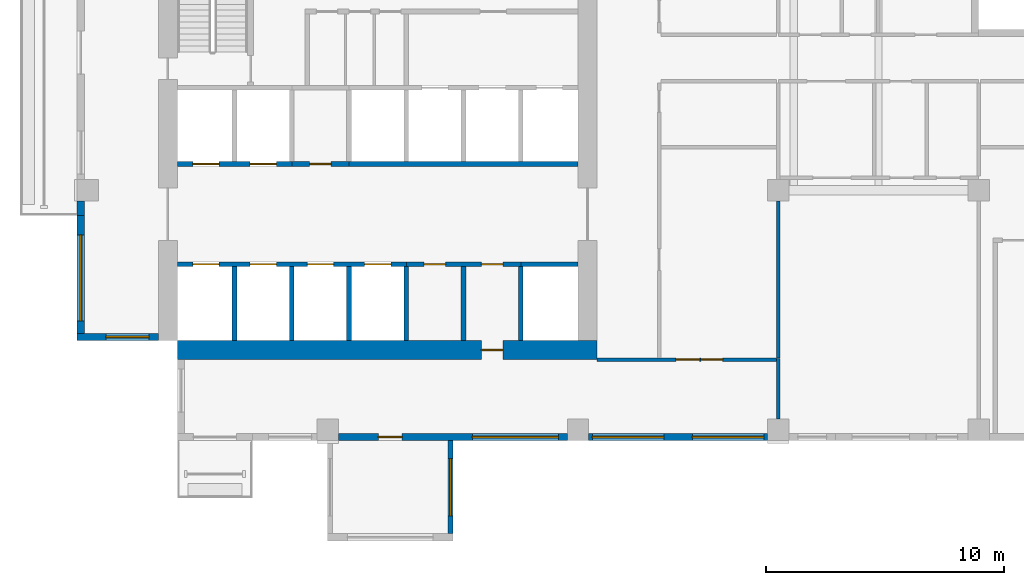
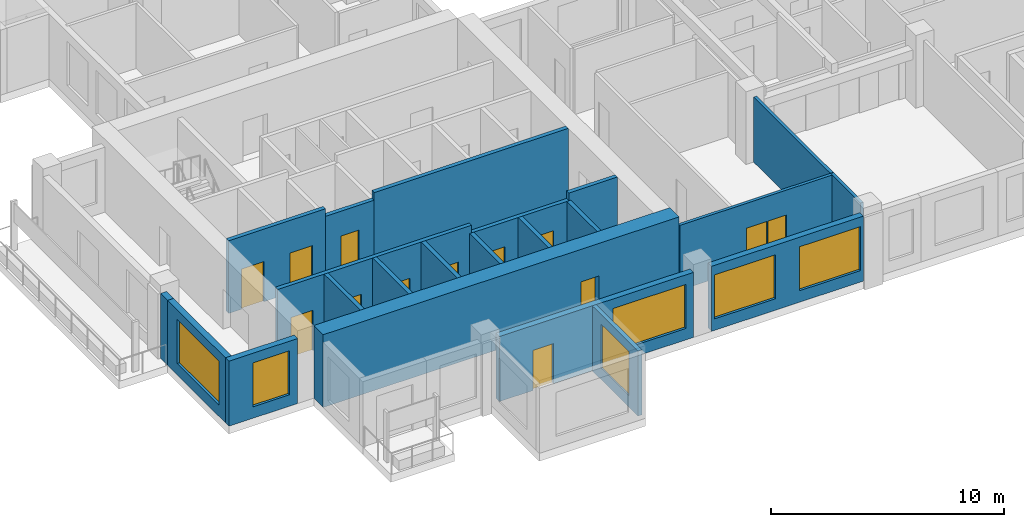
# One storey, part 2 of 12: 22 walls, 13 doors, 6 windows, 19 openings.
"""IFC4 building model written with IfcOpenShell, lengths in metres."""

from ifc_helpers import new_model, si_unit, direction, frame, frame_2d, origin, place, context, subcontext, project, spatial, rectangle, extrude, source, transform, mapped, material, layer, layer_set, type_object, element, fill, save


model = new_model("IFC4")

# Units and contexts
model_context = context("Model", 3, precision=1e-05, world=origin(), true_north=direction((0.0, 1.0)))
body_context = subcontext(model_context, "Body", "Model", "MODEL_VIEW")
ifc_project = project(units=[si_unit("LENGTHUNIT", "METRE"), si_unit("AREAUNIT", "SQUARE_METRE"), si_unit("VOLUMEUNIT", "CUBIC_METRE"), si_unit("PLANEANGLEUNIT", "RADIAN"), si_unit("MASSUNIT", "GRAM", prefix="KILO")], contexts=[model_context])

# Site, building, storey
site_placement = place(None, origin())
site = spatial("IfcSite", under=ifc_project, at=site_placement, CompositionType="ELEMENT")
building_placement = place(site_placement, origin())
building = spatial("IfcBuilding", under=site, at=building_placement, Name="Aurelian Terraces", CompositionType="ELEMENT")
storey_placement = place(building_placement, frame((0.0, 0.0, 200.6)))
storey = spatial("IfcBuildingStorey", under=building, at=storey_placement, Name="L44", CompositionType="ELEMENT", Elevation=200.6)

# Wall, opening, door
ifc_material_1 = material(Name="Concrete fc' 70 MPa", Category="concrete")
ifc_layer_1 = layer(ifc_material_1, 0.8)
ifc_layer_set_1 = layer_set([ifc_layer_1], Name="CORE WALL 800 FC70")
wall_type_1 = type_object("IfcWallType", Name="CORE WALL 800 FC70", PredefinedType="SHEAR", material=ifc_layer_set_1)
shared_shape_1 = source(origin(), body_context, "Body", "SweptSolid", [
    extrude(rectangle(XDim=17.6, YDim=0.8, at=frame_2d((8.8, 0.0))), origin(), (0.0, 0.0, 1.0), 3.8),
])
wall_1_placement = place(storey_placement, frame((4.2, 3.8, 0.0), z_axis=(0.0, 0.0, 1.0), x_axis=(1.0, 0.0, 0.0)))
wall_1 = element("IfcWall", 1, at=wall_1_placement, inside=storey, type_object=wall_type_1, Name="Core wall S L44", PredefinedType="SHEAR", context=body_context, shape_type="MappedRepresentation", body=[
    mapped(shared_shape_1, transform((0.0, 0.0, 0.0), scale=1.0)),
])
shared_shape_2 = source(origin(), body_context, "Body", "SweptSolid", [
    extrude(rectangle(XDim=0.9, YDim=2.1, at=frame_2d((0.45, 1.05))), frame((0.0, 0.41, 0.0), z_axis=(0.0, -1.0, 0.0), x_axis=(1.0, 0.0, 0.0)), (0.0, 0.0, 1.0), 0.82),
])
opening_1_placement = place(wall_1_placement, frame((12.75, 0.0, 0.0)))
opening_1 = element("IfcOpeningElement", 2, at=opening_1_placement, cuts=wall_1, Name="Opening 64727", PredefinedType="OPENING", context=body_context, shape_type="MappedRepresentation", body=[
    mapped(shared_shape_2, transform((0.0, 0.0, 0.0), scale=1.0)),
])
ifc_material_2 = material(Name="Steel door leaf", Category="steel")
door_type_1 = type_object("IfcDoorType", Name="Core service door 900x2100 right", OperationType="SINGLE_SWING_RIGHT", PredefinedType="DOOR", material=ifc_material_2)
shared_shape_3 = source(origin(), body_context, "Body", "SweptSolid", [
    extrude(rectangle(XDim=0.9, YDim=2.1, at=frame_2d((0.45, 1.05))), frame((0.0, 0.025, 0.0), z_axis=(0.0, -1.0, 0.0), x_axis=(1.0, 0.0, 0.0)), (0.0, 0.0, 1.0), 0.05),
])
door_1_placement = place(opening_1_placement, origin())
door_1 = element("IfcDoor", 3, at=door_1_placement, inside=storey, type_object=door_type_1, Name="Core door 64727", OperationType="SINGLE_SWING_RIGHT", OverallHeight=2.1, OverallWidth=0.9, PredefinedType="DOOR", context=body_context, shape_type="MappedRepresentation", body=[
    mapped(shared_shape_3, transform((0.0, 0.0, 0.0), scale=1.0)),
])
fill(opening_1, door_1)

# Wall, openings, windows
ifc_material_3 = material(Name="Terracotta rainscreen cladding", Category="masonry")
ifc_layer_2 = layer(ifc_material_3, 0.3)
ifc_layer_set_2 = layer_set([ifc_layer_2], Name="EW-300")
wall_type_2 = type_object("IfcWallType", Name="EW-300", PredefinedType="STANDARD", material=ifc_layer_set_2)
shared_shape_4 = source(origin(), body_context, "Body", "SweptSolid", [
    extrude(rectangle(XDim=7.5, YDim=0.3, at=frame_2d((3.75, 0.0))), origin(), (0.0, 0.0, 1.0), 3.4),
])
wall_2_placement = place(storey_placement, frame((21.45, 0.15, 0.0), z_axis=(0.0, 0.0, 1.0), x_axis=(1.0, 0.0, 0.0)))
wall_2 = element("IfcWall", 4, at=wall_2_placement, inside=storey, type_object=wall_type_2, Name="External wall L44 F01.4", PredefinedType="STANDARD", context=body_context, shape_type="MappedRepresentation", body=[
    mapped(shared_shape_4, transform((0.0, 0.0, 0.0), scale=1.0)),
])
shared_shape_5 = source(origin(), body_context, "Body", "SweptSolid", [
    extrude(rectangle(XDim=3.0, YDim=2.3, at=frame_2d((1.5, 1.15))), frame((0.0, 0.16, 0.0), z_axis=(0.0, -1.0, 0.0), x_axis=(1.0, 0.0, 0.0)), (0.0, 0.0, 1.0), 0.32),
])
opening_2_placement = place(wall_2_placement, frame((0.15, 0.0, 0.6)))
opening_2 = element("IfcOpeningElement", 5, at=opening_2_placement, cuts=wall_2, Name="Opening W3023", PredefinedType="OPENING", context=body_context, shape_type="MappedRepresentation", body=[
    mapped(shared_shape_5, transform((0.0, 0.0, 0.0), scale=1.0)),
])
opening_3_placement = place(wall_2_placement, frame((4.35, 0.0, 0.6)))
opening_3 = element("IfcOpeningElement", 6, at=opening_3_placement, cuts=wall_2, Name="Opening W3023", PredefinedType="OPENING", context=body_context, shape_type="MappedRepresentation", body=[
    mapped(shared_shape_5, transform((0.0, 0.0, 0.0), scale=1.0)),
])
ifc_material_4 = material(Name="Clear glazing", Category="glass")
window_type_1 = type_object("IfcWindowType", Name="W-3000x2300", PartitioningType="SINGLE_PANEL", PredefinedType="WINDOW", material=ifc_material_4)
shared_shape_6 = source(origin(), body_context, "Body", "SweptSolid", [
    extrude(rectangle(XDim=3.0, YDim=2.3, at=frame_2d((1.5, 1.15))), frame((0.0, 0.03, 0.0), z_axis=(0.0, -1.0, 0.0), x_axis=(1.0, 0.0, 0.0)), (0.0, 0.0, 1.0), 0.06),
])
window_1_placement = place(opening_2_placement, origin())
window_1 = element("IfcWindow", 7, at=window_1_placement, inside=storey, type_object=window_type_1, Name="Window L44 L44-F01-04-0", OverallHeight=2.3, OverallWidth=3.0, PartitioningType="SINGLE_PANEL", PredefinedType="WINDOW", context=body_context, shape_type="MappedRepresentation", body=[
    mapped(shared_shape_6, transform((0.0, 0.0, 0.0), scale=1.0)),
])
fill(opening_2, window_1)
window_2_placement = place(opening_3_placement, origin())
window_2 = element("IfcWindow", 8, at=window_2_placement, inside=storey, type_object=window_type_1, Name="Window L44 L44-F01-04-1", OverallHeight=2.3, OverallWidth=3.0, PartitioningType="SINGLE_PANEL", PredefinedType="WINDOW", context=body_context, shape_type="MappedRepresentation", body=[
    mapped(shared_shape_6, transform((0.0, 0.0, 0.0), scale=1.0)),
])
fill(opening_3, window_2)

# Wall, opening, window
shared_shape_7 = source(origin(), body_context, "Body", "SweptSolid", [
    extrude(rectangle(XDim=3.4, YDim=0.3, at=frame_2d((1.7, 0.0))), origin(), (0.0, 0.0, 1.0), 3.4),
])
wall_3_placement = place(storey_placement, frame((0.0, 4.35, 0.0), z_axis=(0.0, 0.0, 1.0), x_axis=(1.0, 0.0, 0.0)))
wall_3 = element("IfcWall", 9, at=wall_3_placement, inside=storey, type_object=wall_type_2, Name="External wall L44 F21.37", PredefinedType="STANDARD", context=body_context, shape_type="MappedRepresentation", body=[
    mapped(shared_shape_7, transform((0.0, 0.0, 0.0), scale=1.0)),
])
shared_shape_8 = source(origin(), body_context, "Body", "SweptSolid", [
    extrude(rectangle(XDim=1.8, YDim=2.3, at=frame_2d((0.9, 1.15))), frame((0.0, 0.16, 0.0), z_axis=(0.0, -1.0, 0.0), x_axis=(1.0, 0.0, 0.0)), (0.0, 0.0, 1.0), 0.32),
])
opening_4_placement = place(wall_3_placement, frame((1.2, 0.0, 0.6)))
opening_4 = element("IfcOpeningElement", 10, at=opening_4_placement, cuts=wall_3, Name="Opening W1823", PredefinedType="OPENING", context=body_context, shape_type="MappedRepresentation", body=[
    mapped(shared_shape_8, transform((0.0, 0.0, 0.0), scale=1.0)),
])
window_type_2 = type_object("IfcWindowType", Name="W-1800x2300", PartitioningType="SINGLE_PANEL", PredefinedType="WINDOW", material=ifc_material_4)
shared_shape_9 = source(origin(), body_context, "Body", "SweptSolid", [
    extrude(rectangle(XDim=1.8, YDim=2.3, at=frame_2d((0.9, 1.15))), frame((0.0, 0.03, 0.0), z_axis=(0.0, -1.0, 0.0), x_axis=(1.0, 0.0, 0.0)), (0.0, 0.0, 1.0), 0.06),
])
window_3_placement = place(opening_4_placement, origin())
window_3 = element("IfcWindow", 11, at=window_3_placement, inside=storey, type_object=window_type_2, Name="Window L44 L44-F21-37-0", OverallHeight=2.3, OverallWidth=1.8, PartitioningType="SINGLE_PANEL", PredefinedType="WINDOW", context=body_context, shape_type="MappedRepresentation", body=[
    mapped(shared_shape_9, transform((0.0, 0.0, 0.0), scale=1.0)),
])
fill(opening_4, window_3)

ifc_material_5 = material(Name="Concrete fc' 40 MPa", Category="concrete")
ifc_layer_3 = layer(ifc_material_5, 0.2)
ifc_layer_set_3 = layer_set([ifc_layer_3], Name="BOX BEARING WALL 200")
wall_type_3 = type_object("IfcWallType", Name="BOX BEARING WALL 200", PredefinedType="SOLIDWALL", material=ifc_layer_set_3)
shared_shape_10 = source(origin(), body_context, "Body", "SweptSolid", [
    extrude(rectangle(XDim=3.9, YDim=0.2, at=frame_2d((1.95, 0.0))), origin(), (0.0, 0.0, 1.0), 3.4),
])
wall_4_placement = place(storey_placement, frame((15.65, 0.0, 0.0), z_axis=(0.0, 0.0, 1.0), x_axis=(0.0, -1.0, 0.0)))
wall_4 = element("IfcWall", 12, at=wall_4_placement, inside=storey, type_object=wall_type_3, Name="Box return L44 J60.2", PredefinedType="SOLIDWALL", context=body_context, shape_type="MappedRepresentation", body=[
    mapped(shared_shape_10, transform((0.0, 0.0, 0.0), scale=1.0)),
])
shared_shape_11 = source(origin(), body_context, "Body", "SweptSolid", [
    extrude(rectangle(XDim=2.4, YDim=2.3, at=frame_2d((1.2, 1.15))), frame((0.0, 0.11, 0.0), z_axis=(0.0, -1.0, 0.0), x_axis=(1.0, 0.0, 0.0)), (0.0, 0.0, 1.0), 0.22),
])
opening_5_placement = place(wall_4_placement, frame((0.75, 0.0, 0.6)))
opening_5 = element("IfcOpeningElement", 13, at=opening_5_placement, cuts=wall_4, Name="Opening W2423", PredefinedType="OPENING", context=body_context, shape_type="MappedRepresentation", body=[
    mapped(shared_shape_11, transform((0.0, 0.0, 0.0), scale=1.0)),
])
window_type_3 = type_object("IfcWindowType", Name="W-2400x2300", PartitioningType="SINGLE_PANEL", PredefinedType="WINDOW", material=ifc_material_4)
shared_shape_12 = source(origin(), body_context, "Body", "SweptSolid", [
    extrude(rectangle(XDim=2.4, YDim=2.3, at=frame_2d((1.2, 1.15))), frame((0.0, 0.03, 0.0), z_axis=(0.0, -1.0, 0.0), x_axis=(1.0, 0.0, 0.0)), (0.0, 0.0, 1.0), 0.06),
])
window_4_placement = place(opening_5_placement, origin())
window_4 = element("IfcWindow", 14, at=window_4_placement, inside=storey, type_object=window_type_3, Name="Window L44 J60-S2", OverallHeight=2.3, OverallWidth=2.4, PartitioningType="SINGLE_PANEL", PredefinedType="WINDOW", context=body_context, shape_type="MappedRepresentation", body=[
    mapped(shared_shape_12, transform((0.0, 0.0, 0.0), scale=1.0)),
])
fill(opening_5, window_4)

# Wall, openings, window, door
shared_shape_13 = source(origin(), body_context, "Body", "SweptSolid", [
    extrude(rectangle(XDim=9.6, YDim=0.3, at=frame_2d((4.8, 0.0))), origin(), (0.0, 0.0, 1.0), 3.4),
])
wall_5_placement = place(storey_placement, frame((10.95, 0.15, 0.0), z_axis=(0.0, 0.0, 1.0), x_axis=(1.0, 0.0, 0.0)))
wall_5 = element("IfcWall", 15, at=wall_5_placement, inside=storey, type_object=wall_type_2, Name="External wall L44 F01.3", PredefinedType="STANDARD", context=body_context, shape_type="MappedRepresentation", body=[
    mapped(shared_shape_13, transform((0.0, 0.0, 0.0), scale=1.0)),
])
shared_shape_14 = source(origin(), body_context, "Body", "SweptSolid", [
    extrude(rectangle(XDim=3.6, YDim=2.3, at=frame_2d((1.8, 1.15))), frame((0.0, 0.16, 0.0), z_axis=(0.0, -1.0, 0.0), x_axis=(1.0, 0.0, 0.0)), (0.0, 0.0, 1.0), 0.32),
])
opening_6_placement = place(wall_5_placement, frame((5.625, 0.0, 0.6)))
opening_6 = element("IfcOpeningElement", 16, at=opening_6_placement, cuts=wall_5, Name="Opening W3623", PredefinedType="OPENING", context=body_context, shape_type="MappedRepresentation", body=[
    mapped(shared_shape_14, transform((0.0, 0.0, 0.0), scale=1.0)),
])
shared_shape_15 = source(origin(), body_context, "Body", "SweptSolid", [
    extrude(rectangle(XDim=1.0, YDim=2.1, at=frame_2d((0.5, 1.05))), frame((0.0, 0.16, 0.0), z_axis=(0.0, -1.0, 0.0), x_axis=(1.0, 0.0, 0.0)), (0.0, 0.0, 1.0), 0.32),
])
opening_7_placement = place(wall_5_placement, frame((1.675, 0.0, 0.0)))
opening_7 = element("IfcOpeningElement", 17, at=opening_7_placement, cuts=wall_5, Name="Opening 844001", PredefinedType="OPENING", context=body_context, shape_type="MappedRepresentation", body=[
    mapped(shared_shape_15, transform((0.0, 0.0, 0.0), scale=1.0)),
])
window_type_4 = type_object("IfcWindowType", Name="W-3600x2300", PartitioningType="SINGLE_PANEL", PredefinedType="WINDOW", material=ifc_material_4)
shared_shape_16 = source(origin(), body_context, "Body", "SweptSolid", [
    extrude(rectangle(XDim=3.6, YDim=2.3, at=frame_2d((1.8, 1.15))), frame((0.0, 0.03, 0.0), z_axis=(0.0, -1.0, 0.0), x_axis=(1.0, 0.0, 0.0)), (0.0, 0.0, 1.0), 0.06),
])
window_5_placement = place(opening_6_placement, origin())
window_5 = element("IfcWindow", 18, at=window_5_placement, inside=storey, type_object=window_type_4, Name="Window L44 L44-F01-03-1", OverallHeight=2.3, OverallWidth=3.6, PartitioningType="SINGLE_PANEL", PredefinedType="WINDOW", context=body_context, shape_type="MappedRepresentation", body=[
    mapped(shared_shape_16, transform((0.0, 0.0, 0.0), scale=1.0)),
])
fill(opening_6, window_5)
ifc_material_6 = material(Name="Timber door leaf", Category="wood")
door_type_2 = type_object("IfcDoorType", Name="Room door 1000x2100 left", OperationType="SINGLE_SWING_LEFT", PredefinedType="DOOR", material=ifc_material_6)
shared_shape_17 = source(origin(), body_context, "Body", "SweptSolid", [
    extrude(rectangle(XDim=1.0, YDim=2.1, at=frame_2d((0.5, 1.05))), frame((0.0, 0.025, 0.0), z_axis=(0.0, -1.0, 0.0), x_axis=(1.0, 0.0, 0.0)), (0.0, 0.0, 1.0), 0.05),
])
door_2_placement = place(opening_7_placement, origin())
door_2 = element("IfcDoor", 19, at=door_2_placement, inside=storey, type_object=door_type_2, Name="Door 844001", OperationType="SINGLE_SWING_LEFT", OverallHeight=2.1, OverallWidth=1.0, PredefinedType="DOOR", context=body_context, shape_type="MappedRepresentation", body=[
    mapped(shared_shape_17, transform((0.0, 0.0, 0.0), scale=1.0)),
])
fill(opening_7, door_2)

# Wall
shared_shape_18 = source(origin(), body_context, "Body", "SweptSolid", [
    extrude(rectangle(XDim=0.6, YDim=0.3, at=frame_2d((0.3, 0.0))), origin(), (0.0, 0.0, 1.0), 3.4),
])
wall_6_placement = place(storey_placement, frame((0.15, 10.05, 0.0), z_axis=(0.0, 0.0, 1.0), x_axis=(0.0, -1.0, 0.0)))
element("IfcWall", 20, at=wall_6_placement, inside=storey, type_object=wall_type_2, Name="External wall L44 F20.35", PredefinedType="STANDARD", context=body_context, shape_type="MappedRepresentation", body=[
    mapped(shared_shape_18, transform((0.0, 0.0, 0.0), scale=1.0)),
])

# Wall, opening, window
shared_shape_19 = source(origin(), body_context, "Body", "SweptSolid", [
    extrude(rectangle(XDim=5.25, YDim=0.3, at=frame_2d((2.625, 0.0))), origin(), (0.0, 0.0, 1.0), 3.4),
])
wall_7_placement = place(storey_placement, frame((0.15, 9.45, 0.0), z_axis=(0.0, 0.0, 1.0), x_axis=(0.0, -1.0, 0.0)))
wall_7 = element("IfcWall", 21, at=wall_7_placement, inside=storey, type_object=wall_type_2, Name="External wall L44 F20.36", PredefinedType="STANDARD", context=body_context, shape_type="MappedRepresentation", body=[
    mapped(shared_shape_19, transform((0.0, 0.0, 0.0), scale=1.0)),
])
opening_8_placement = place(wall_7_placement, frame((0.825, 0.0, 0.6)))
opening_8 = element("IfcOpeningElement", 22, at=opening_8_placement, cuts=wall_7, Name="Opening W3623", PredefinedType="OPENING", context=body_context, shape_type="MappedRepresentation", body=[
    mapped(shared_shape_14, transform((0.0, 0.0, 0.0), scale=1.0)),
])
window_6_placement = place(opening_8_placement, origin())
window_6 = element("IfcWindow", 23, at=window_6_placement, inside=storey, type_object=window_type_4, Name="Window L44 L44-F20-36-0", OverallHeight=2.3, OverallWidth=3.6, PartitioningType="SINGLE_PANEL", PredefinedType="WINDOW", context=body_context, shape_type="MappedRepresentation", body=[
    mapped(shared_shape_16, transform((0.0, 0.0, 0.0), scale=1.0)),
])
fill(opening_8, window_6)

# Walls
ifc_layer_4 = layer(ifc_material_5, 0.2)
ifc_layer_set_4 = layer_set([ifc_layer_4], Name="Lift shaft wall 200")
wall_type_4 = type_object("IfcWallType", Name="Lift shaft wall 200", PredefinedType="SOLIDWALL", material=ifc_layer_set_4)
shared_shape_20 = source(origin(), body_context, "Body", "SweptSolid", [
    extrude(rectangle(XDim=3.1, YDim=0.2, at=frame_2d((1.55, 0.0))), origin(), (0.0, 0.0, 1.0), 3.8),
])
for number, where, z_axis, x_axis, name in (
    (24, (6.6, 4.2, 0.0), (0.0, 0.0, 1.0), (0.0, 1.0, 0.0), "L44 core wall CD-A1"),
    (25, (9.0, 4.2, 0.0), (0.0, 0.0, 1.0), (0.0, 1.0, 0.0), "L44 core wall CD-A2"),
    (26, (11.4, 4.2, 0.0), (0.0, 0.0, 1.0), (0.0, 1.0, 0.0), "L44 core wall CD-A3"),
):
    element("IfcWall", number, at=place(storey_placement, frame(where, z_axis=z_axis, x_axis=x_axis)), inside=storey, type_object=wall_type_4, Name=name, PredefinedType="SOLIDWALL", context=body_context, shape_type="MappedRepresentation", body=[
        mapped(shared_shape_20, transform((0.0, 0.0, 0.0), scale=1.0)),
    ])
shared_shape_21 = source(origin(), body_context, "Body", "SweptSolid", [
    extrude(rectangle(XDim=3.1, YDim=0.2, at=frame_2d((1.55, 0.0))), origin(), (0.0, 0.0, 1.0), 3.4),
])
for number, where, z_axis, x_axis, name in (
    (27, (13.8, 4.2, 0.0), (0.0, 0.0, 1.0), (0.0, 1.0, 0.0), "L44 core wall CD-A4"),
    (28, (18.6, 4.2, 0.0), (0.0, 0.0, 1.0), (0.0, 1.0, 0.0), "L44 core wall CD-A6"),
):
    element("IfcWall", number, at=place(storey_placement, frame(where, z_axis=z_axis, x_axis=x_axis)), inside=storey, type_object=wall_type_4, Name=name, PredefinedType="SOLIDWALL", context=body_context, shape_type="MappedRepresentation", body=[
        mapped(shared_shape_21, transform((0.0, 0.0, 0.0), scale=1.0)),
    ])

# Wall, openings, doors
shared_shape_22 = source(origin(), body_context, "Body", "SweptSolid", [
    extrude(rectangle(XDim=9.6, YDim=0.2, at=frame_2d((4.8, 0.0))), origin(), (0.0, 0.0, 1.0), 3.8),
])
wall_8_placement = place(storey_placement, frame((4.2, 7.4, 0.0), z_axis=(0.0, 0.0, 1.0), x_axis=(1.0, 0.0, 0.0)))
wall_8 = element("IfcWall", 29, at=wall_8_placement, inside=storey, type_object=wall_type_4, Name="L44 core wall CF-AF1", PredefinedType="SOLIDWALL", context=body_context, shape_type="MappedRepresentation", body=[
    mapped(shared_shape_22, transform((0.0, 0.0, 0.0), scale=1.0)),
])
shared_shape_23 = source(origin(), body_context, "Body", "SweptSolid", [
    extrude(rectangle(XDim=1.1, YDim=2.1, at=frame_2d((0.55, 1.05))), frame((0.0, 0.11, 0.0), z_axis=(0.0, -1.0, 0.0), x_axis=(1.0, 0.0, 0.0)), (0.0, 0.0, 1.0), 0.22),
])
opening_9_placement = place(wall_8_placement, frame((0.65, 0.0, 0.0)))
opening_9 = element("IfcOpeningElement", 30, at=opening_9_placement, cuts=wall_8, Name="Opening 64700", PredefinedType="OPENING", context=body_context, shape_type="MappedRepresentation", body=[
    mapped(shared_shape_23, transform((0.0, 0.0, 0.0), scale=1.0)),
])
opening_10_placement = place(wall_8_placement, frame((3.05, 0.0, 0.0)))
opening_10 = element("IfcOpeningElement", 31, at=opening_10_placement, cuts=wall_8, Name="Opening 64701", PredefinedType="OPENING", context=body_context, shape_type="MappedRepresentation", body=[
    mapped(shared_shape_23, transform((0.0, 0.0, 0.0), scale=1.0)),
])
opening_11_placement = place(wall_8_placement, frame((5.45, 0.0, 0.0)))
opening_11 = element("IfcOpeningElement", 32, at=opening_11_placement, cuts=wall_8, Name="Opening 64702", PredefinedType="OPENING", context=body_context, shape_type="MappedRepresentation", body=[
    mapped(shared_shape_23, transform((0.0, 0.0, 0.0), scale=1.0)),
])
opening_12_placement = place(wall_8_placement, frame((7.85, 0.0, 0.0)))
opening_12 = element("IfcOpeningElement", 33, at=opening_12_placement, cuts=wall_8, Name="Opening 64703", PredefinedType="OPENING", context=body_context, shape_type="MappedRepresentation", body=[
    mapped(shared_shape_23, transform((0.0, 0.0, 0.0), scale=1.0)),
])
ifc_material_7 = material(Name="Stainless steel", Category="steel")
door_type_3 = type_object("IfcDoorType", Name="Lift landing door 1100x2100", OperationType="SLIDING_TO_LEFT", PredefinedType="DOOR", material=ifc_material_7)
shared_shape_24 = source(origin(), body_context, "Body", "SweptSolid", [
    extrude(rectangle(XDim=1.1, YDim=2.1, at=frame_2d((0.55, 1.05))), frame((0.0, 0.025, 0.0), z_axis=(0.0, -1.0, 0.0), x_axis=(1.0, 0.0, 0.0)), (0.0, 0.0, 1.0), 0.05),
])
door_3_placement = place(opening_9_placement, origin())
door_3 = element("IfcDoor", 34, at=door_3_placement, inside=storey, type_object=door_type_3, Name="Lift landing door LM1 L44", OperationType="SLIDING_TO_LEFT", OverallHeight=2.1, OverallWidth=1.1, PredefinedType="DOOR", context=body_context, shape_type="MappedRepresentation", body=[
    mapped(shared_shape_24, transform((0.0, 0.0, 0.0), scale=1.0)),
])
fill(opening_9, door_3)
door_4_placement = place(opening_10_placement, origin())
door_4 = element("IfcDoor", 35, at=door_4_placement, inside=storey, type_object=door_type_3, Name="Lift landing door LM2 L44", OperationType="SLIDING_TO_LEFT", OverallHeight=2.1, OverallWidth=1.1, PredefinedType="DOOR", context=body_context, shape_type="MappedRepresentation", body=[
    mapped(shared_shape_24, transform((0.0, 0.0, 0.0), scale=1.0)),
])
fill(opening_10, door_4)
door_5_placement = place(opening_11_placement, origin())
door_5 = element("IfcDoor", 36, at=door_5_placement, inside=storey, type_object=door_type_3, Name="Lift landing door LM3 L44", OperationType="SLIDING_TO_LEFT", OverallHeight=2.1, OverallWidth=1.1, PredefinedType="DOOR", context=body_context, shape_type="MappedRepresentation", body=[
    mapped(shared_shape_24, transform((0.0, 0.0, 0.0), scale=1.0)),
])
fill(opening_11, door_5)
door_6_placement = place(opening_12_placement, origin())
door_6 = element("IfcDoor", 37, at=door_6_placement, inside=storey, type_object=door_type_3, Name="Lift landing door LM4 L44", OperationType="SLIDING_TO_LEFT", OverallHeight=2.1, OverallWidth=1.1, PredefinedType="DOOR", context=body_context, shape_type="MappedRepresentation", body=[
    mapped(shared_shape_24, transform((0.0, 0.0, 0.0), scale=1.0)),
])
fill(opening_12, door_6)

# Wall
wall_9_placement = place(storey_placement, frame((11.4, 11.6, 0.0), z_axis=(0.0, 0.0, 1.0), x_axis=(1.0, 0.0, 0.0)))
element("IfcWall", 38, at=wall_9_placement, inside=storey, type_object=wall_type_4, Name="L44 core wall CF-BF3", PredefinedType="SOLIDWALL", context=body_context, shape_type="MappedRepresentation", body=[
    mapped(shared_shape_22, transform((0.0, 0.0, 0.0), scale=1.0)),
])

# Wall, openings, doors
shared_shape_25 = source(origin(), body_context, "Body", "SweptSolid", [
    extrude(rectangle(XDim=4.8, YDim=0.2, at=frame_2d((2.4, 0.0))), origin(), (0.0, 0.0, 1.0), 3.8),
])
wall_10_placement = place(storey_placement, frame((4.2, 11.6, 0.0), z_axis=(0.0, 0.0, 1.0), x_axis=(1.0, 0.0, 0.0)))
wall_10 = element("IfcWall", 39, at=wall_10_placement, inside=storey, type_object=wall_type_4, Name="L44 core wall CF-BF1", PredefinedType="SOLIDWALL", context=body_context, shape_type="MappedRepresentation", body=[
    mapped(shared_shape_25, transform((0.0, 0.0, 0.0), scale=1.0)),
])
opening_13_placement = place(wall_10_placement, frame((0.65, 0.0, 0.0)))
opening_13 = element("IfcOpeningElement", 40, at=opening_13_placement, cuts=wall_10, Name="Opening 64706", PredefinedType="OPENING", context=body_context, shape_type="MappedRepresentation", body=[
    mapped(shared_shape_23, transform((0.0, 0.0, 0.0), scale=1.0)),
])
opening_14_placement = place(wall_10_placement, frame((3.05, 0.0, 0.0)))
opening_14 = element("IfcOpeningElement", 41, at=opening_14_placement, cuts=wall_10, Name="Opening 64707", PredefinedType="OPENING", context=body_context, shape_type="MappedRepresentation", body=[
    mapped(shared_shape_23, transform((0.0, 0.0, 0.0), scale=1.0)),
])
door_7_placement = place(opening_13_placement, origin())
door_7 = element("IfcDoor", 42, at=door_7_placement, inside=storey, type_object=door_type_3, Name="Lift landing door LM5 L44", OperationType="SLIDING_TO_LEFT", OverallHeight=2.1, OverallWidth=1.1, PredefinedType="DOOR", context=body_context, shape_type="MappedRepresentation", body=[
    mapped(shared_shape_24, transform((0.0, 0.0, 0.0), scale=1.0)),
])
fill(opening_13, door_7)
door_8_placement = place(opening_14_placement, origin())
door_8 = element("IfcDoor", 43, at=door_8_placement, inside=storey, type_object=door_type_3, Name="Lift landing door LM6 L44", OperationType="SLIDING_TO_LEFT", OverallHeight=2.1, OverallWidth=1.1, PredefinedType="DOOR", context=body_context, shape_type="MappedRepresentation", body=[
    mapped(shared_shape_24, transform((0.0, 0.0, 0.0), scale=1.0)),
])
fill(opening_14, door_8)

# Wall, opening, door
shared_shape_26 = source(origin(), body_context, "Body", "SweptSolid", [
    extrude(rectangle(XDim=2.4, YDim=0.2, at=frame_2d((1.2, 0.0))), origin(), (0.0, 0.0, 1.0), 3.4),
])
wall_11_placement = place(storey_placement, frame((9.0, 11.6, 0.0), z_axis=(0.0, 0.0, 1.0), x_axis=(1.0, 0.0, 0.0)))
wall_11 = element("IfcWall", 44, at=wall_11_placement, inside=storey, type_object=wall_type_4, Name="L44 core wall CF-BF2", PredefinedType="SOLIDWALL", context=body_context, shape_type="MappedRepresentation", body=[
    mapped(shared_shape_26, transform((0.0, 0.0, 0.0), scale=1.0)),
])
shared_shape_27 = source(origin(), body_context, "Body", "SweptSolid", [
    extrude(rectangle(XDim=0.9, YDim=2.1, at=frame_2d((0.45, 1.05))), frame((0.0, 0.11, 0.0), z_axis=(0.0, -1.0, 0.0), x_axis=(1.0, 0.0, 0.0)), (0.0, 0.0, 1.0), 0.22),
])
opening_15_placement = place(wall_11_placement, frame((0.75, 0.0, 0.0)))
opening_15 = element("IfcOpeningElement", 45, at=opening_15_placement, cuts=wall_11, Name="Opening 64708", PredefinedType="OPENING", context=body_context, shape_type="MappedRepresentation", body=[
    mapped(shared_shape_27, transform((0.0, 0.0, 0.0), scale=1.0)),
])
door_9_placement = place(opening_15_placement, origin())
door_9 = element("IfcDoor", 46, at=door_9_placement, inside=storey, type_object=door_type_1, Name="Room door 64708", OperationType="SINGLE_SWING_RIGHT", OverallHeight=2.1, OverallWidth=0.9, PredefinedType="DOOR", context=body_context, shape_type="MappedRepresentation", body=[
    mapped(shared_shape_3, transform((0.0, 0.0, 0.0), scale=1.0)),
])
fill(opening_15, door_9)

# Wall, openings, doors
shared_shape_28 = source(origin(), body_context, "Body", "SweptSolid", [
    extrude(rectangle(XDim=4.8, YDim=0.2, at=frame_2d((2.4, 0.0))), origin(), (0.0, 0.0, 1.0), 3.4),
])
wall_12_placement = place(storey_placement, frame((13.8, 7.4, 0.0), z_axis=(0.0, 0.0, 1.0), x_axis=(1.0, 0.0, 0.0)))
wall_12 = element("IfcWall", 47, at=wall_12_placement, inside=storey, type_object=wall_type_4, Name="L44 core wall CF-AF2", PredefinedType="SOLIDWALL", context=body_context, shape_type="MappedRepresentation", body=[
    mapped(shared_shape_28, transform((0.0, 0.0, 0.0), scale=1.0)),
])
opening_16_placement = place(wall_12_placement, frame((0.75, 0.0, 0.0)))
opening_16 = element("IfcOpeningElement", 48, at=opening_16_placement, cuts=wall_12, Name="Opening 64704", PredefinedType="OPENING", context=body_context, shape_type="MappedRepresentation", body=[
    mapped(shared_shape_27, transform((0.0, 0.0, 0.0), scale=1.0)),
])
opening_17_placement = place(wall_12_placement, frame((3.15, 0.0, 0.0)))
opening_17 = element("IfcOpeningElement", 49, at=opening_17_placement, cuts=wall_12, Name="Opening 64705", PredefinedType="OPENING", context=body_context, shape_type="MappedRepresentation", body=[
    mapped(shared_shape_27, transform((0.0, 0.0, 0.0), scale=1.0)),
])
door_10_placement = place(opening_16_placement, origin())
door_10 = element("IfcDoor", 50, at=door_10_placement, inside=storey, type_object=door_type_1, Name="Room door 64704", OperationType="SINGLE_SWING_RIGHT", OverallHeight=2.1, OverallWidth=0.9, PredefinedType="DOOR", context=body_context, shape_type="MappedRepresentation", body=[
    mapped(shared_shape_3, transform((0.0, 0.0, 0.0), scale=1.0)),
])
fill(opening_16, door_10)
door_type_4 = type_object("IfcDoorType", Name="Core service door 900x2100", OperationType="SINGLE_SWING_LEFT", PredefinedType="DOOR", material=ifc_material_2)
door_11_placement = place(opening_17_placement, origin())
door_11 = element("IfcDoor", 51, at=door_11_placement, inside=storey, type_object=door_type_4, Name="Room door 64705", OperationType="SINGLE_SWING_LEFT", OverallHeight=2.1, OverallWidth=0.9, PredefinedType="DOOR", context=body_context, shape_type="MappedRepresentation", body=[
    mapped(shared_shape_3, transform((0.0, 0.0, 0.0), scale=1.0)),
])
fill(opening_17, door_11)

# Walls
shared_shape_29 = source(origin(), body_context, "Body", "SweptSolid", [
    extrude(rectangle(XDim=2.4, YDim=0.2, at=frame_2d((1.2, 0.0))), origin(), (0.0, 0.0, 1.0), 3.8),
])
wall_13_placement = place(storey_placement, frame((18.6, 7.4, 0.0), z_axis=(0.0, 0.0, 1.0), x_axis=(1.0, 0.0, 0.0)))
element("IfcWall", 52, at=wall_13_placement, inside=storey, type_object=wall_type_4, Name="L44 core wall CF-AF3", PredefinedType="SOLIDWALL", context=body_context, shape_type="MappedRepresentation", body=[
    mapped(shared_shape_29, transform((0.0, 0.0, 0.0), scale=1.0)),
])
ifc_material_8 = material(Name="Gypsum board on steel studs", Category="steel")
ifc_layer_5 = layer(ifc_material_8, 0.2)
ifc_layer_set_5 = layer_set([ifc_layer_5], Name="Core partition 200")
wall_type_5 = type_object("IfcWallType", Name="Core partition 200", PredefinedType="PARTITIONING", material=ifc_layer_set_5)
shared_shape_30 = source(origin(), body_context, "Body", "SweptSolid", [
    extrude(rectangle(XDim=3.1, YDim=0.2, at=frame_2d((1.55, 0.0))), origin(), (0.0, 0.0, 1.0), 3.4),
])
wall_14_placement = place(storey_placement, frame((16.2, 4.2, 0.0), z_axis=(0.0, 0.0, 1.0), x_axis=(0.0, 1.0, 0.0)))
element("IfcWall", 53, at=wall_14_placement, inside=storey, type_object=wall_type_5, Name="L44 core wall CS-A5", PredefinedType="PARTITIONING", context=body_context, shape_type="MappedRepresentation", body=[
    mapped(shared_shape_30, transform((0.0, 0.0, 0.0), scale=1.0)),
])
ifc_layer_6 = layer(ifc_material_8, 0.15)
ifc_layer_set_6 = layer_set([ifc_layer_6], Name="Partition 150")
wall_type_6 = type_object("IfcWallType", Name="Partition 150", PredefinedType="PARTITIONING", material=ifc_layer_set_6)
shared_shape_31 = source(origin(), body_context, "Body", "SweptSolid", [
    extrude(rectangle(XDim=6.576, YDim=0.15, at=frame_2d((3.288, 0.0))), origin(), (0.0, 0.0, 1.0), 3.4),
])
wall_15_placement = place(storey_placement, frame((29.4, 3.475, 0.0), z_axis=(0.0, 0.0, 1.0), x_axis=(0.0, 1.0, 0.0)))
element("IfcWall", 54, at=wall_15_placement, inside=storey, type_object=wall_type_6, Name="Partition", PredefinedType="PARTITIONING", context=body_context, shape_type="MappedRepresentation", body=[
    mapped(shared_shape_31, transform((0.0, 0.0, 0.0), scale=1.0)),
])
ifc_layer_7 = layer(ifc_material_8, 0.15)
ifc_layer_set_7 = layer_set([ifc_layer_7], Name="Fire partition 150")
wall_type_7 = type_object("IfcWallType", Name="Fire partition 150", PredefinedType="PARTITIONING", material=ifc_layer_set_7)
shared_shape_32 = source(origin(), body_context, "Body", "SweptSolid", [
    extrude(rectangle(XDim=2.556, YDim=0.15, at=frame_2d((1.278, 0.0))), origin(), (0.0, 0.0, 1.0), 3.4),
])
wall_16_placement = place(storey_placement, frame((29.4, 0.899, 0.0), z_axis=(0.0, 0.0, 1.0), x_axis=(0.0, 1.0, 0.0)))
element("IfcWall", 55, at=wall_16_placement, inside=storey, type_object=wall_type_7, Name="Party wall", PredefinedType="PARTITIONING", context=body_context, shape_type="MappedRepresentation", body=[
    mapped(shared_shape_32, transform((0.0, 0.0, 0.0), scale=1.0)),
])

# Wall, openings, doors
shared_shape_33 = source(origin(), body_context, "Body", "SweptSolid", [
    extrude(rectangle(XDim=7.525, YDim=0.15, at=frame_2d((3.7625, 0.0))), origin(), (0.0, 0.0, 1.0), 3.4),
])
wall_17_placement = place(storey_placement, frame((21.8, 3.4, 0.0), z_axis=(0.0, 0.0, 1.0), x_axis=(1.0, 0.0, 0.0)))
wall_17 = element("IfcWall", 56, at=wall_17_placement, inside=storey, type_object=wall_type_6, Name="Partition", PredefinedType="PARTITIONING", context=body_context, shape_type="MappedRepresentation", body=[
    mapped(shared_shape_33, transform((0.0, 0.0, 0.0), scale=1.0)),
])
shared_shape_34 = source(origin(), body_context, "Body", "SweptSolid", [
    extrude(rectangle(XDim=1.0, YDim=2.1, at=frame_2d((0.5, 1.05))), frame((0.0, 0.085, 0.0), z_axis=(0.0, -1.0, 0.0), x_axis=(1.0, 0.0, 0.0)), (0.0, 0.0, 1.0), 0.17),
])
opening_18_placement = place(wall_17_placement, frame((3.3, 0.0, 0.0)))
opening_18 = element("IfcOpeningElement", 57, at=opening_18_placement, cuts=wall_17, Name="Opening 744004", PredefinedType="OPENING", context=body_context, shape_type="MappedRepresentation", body=[
    mapped(shared_shape_34, transform((0.0, 0.0, 0.0), scale=1.0)),
])
shared_shape_35 = source(origin(), body_context, "Body", "SweptSolid", [
    extrude(rectangle(XDim=0.9, YDim=2.1, at=frame_2d((0.45, 1.05))), frame((0.0, 0.085, 0.0), z_axis=(0.0, -1.0, 0.0), x_axis=(1.0, 0.0, 0.0)), (0.0, 0.0, 1.0), 0.17),
])
opening_19_placement = place(wall_17_placement, frame((4.363, 0.0, 0.0)))
opening_19 = element("IfcOpeningElement", 58, at=opening_19_placement, cuts=wall_17, Name="Opening 744038", PredefinedType="OPENING", context=body_context, shape_type="MappedRepresentation", body=[
    mapped(shared_shape_35, transform((0.0, 0.0, 0.0), scale=1.0)),
])
door_12_placement = place(opening_18_placement, origin())
door_12 = element("IfcDoor", 59, at=door_12_placement, inside=storey, type_object=door_type_2, Name="Door 744004", OperationType="SINGLE_SWING_LEFT", OverallHeight=2.1, OverallWidth=1.0, PredefinedType="DOOR", context=body_context, shape_type="MappedRepresentation", body=[
    mapped(shared_shape_17, transform((0.0, 0.0, 0.0), scale=1.0)),
])
fill(opening_18, door_12)
door_type_5 = type_object("IfcDoorType", Name="Room door 900x2100 left", OperationType="SINGLE_SWING_LEFT", PredefinedType="DOOR", material=ifc_material_6)
door_13_placement = place(opening_19_placement, origin())
door_13 = element("IfcDoor", 60, at=door_13_placement, inside=storey, type_object=door_type_5, Name="Door 744038", OperationType="SINGLE_SWING_LEFT", OverallHeight=2.1, OverallWidth=0.9, PredefinedType="DOOR", context=body_context, shape_type="MappedRepresentation", body=[
    mapped(shared_shape_3, transform((0.0, 0.0, 0.0), scale=1.0)),
])
fill(opening_19, door_13)

save(model, "model.ifc")
